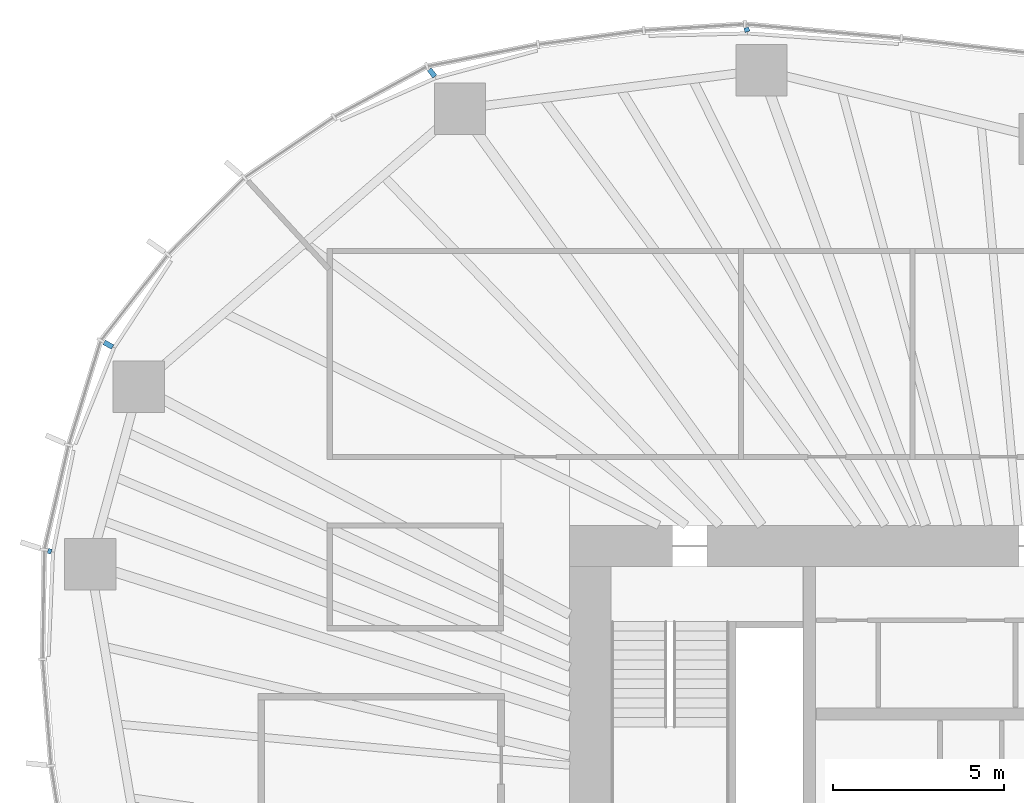
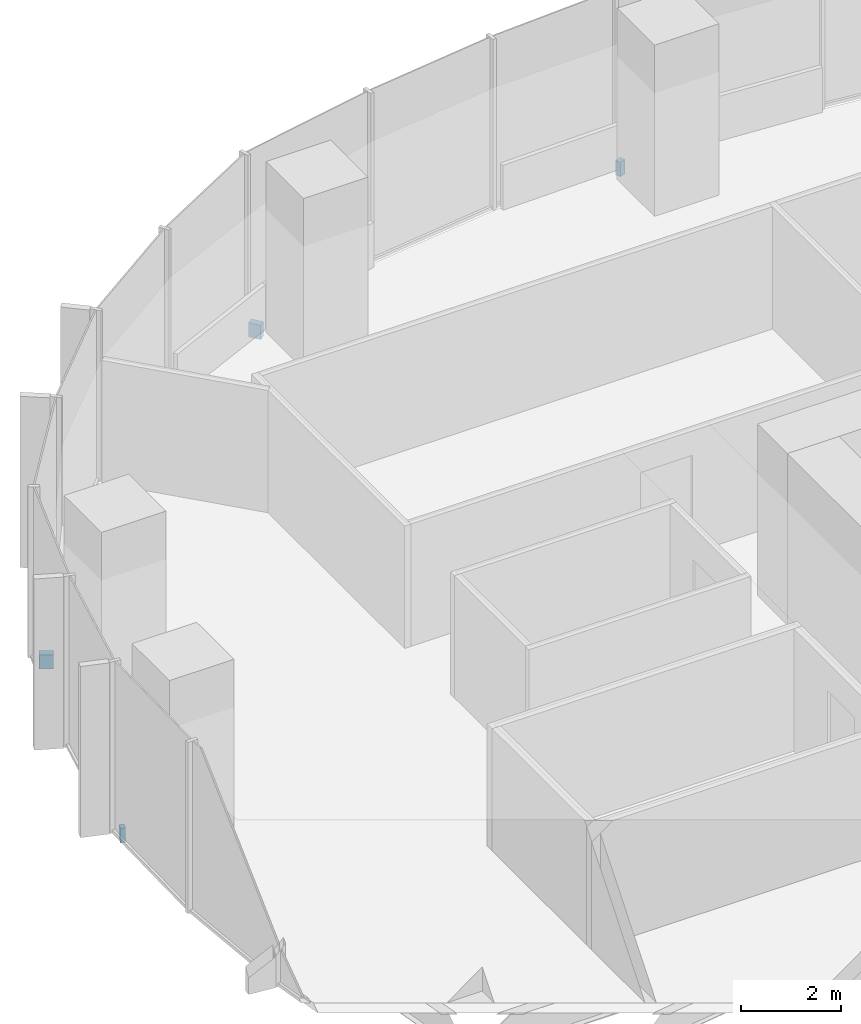
# One storey, part 15 of 18: 4 discrete accessories.
"""IFC4 building model written with IfcOpenShell, lengths in metres."""

from ifc_helpers import new_model, si_unit, direction, frame, origin, origin_2d, place, context, subcontext, project, spatial, rectangle, extrude, material, type_object, element, save


model = new_model("IFC4")

# Units and contexts
model_context = context("Model", 3, precision=1e-05, world=origin(), true_north=direction((0.0, 1.0)))
body_context = subcontext(model_context, "Body", "Model", "MODEL_VIEW")
ifc_project = project(units=[si_unit("LENGTHUNIT", "METRE"), si_unit("AREAUNIT", "SQUARE_METRE"), si_unit("VOLUMEUNIT", "CUBIC_METRE"), si_unit("PLANEANGLEUNIT", "RADIAN"), si_unit("MASSUNIT", "GRAM", prefix="KILO")], contexts=[model_context])

# Site, building, storey
site_placement = place(None, origin())
site = spatial("IfcSite", under=ifc_project, at=site_placement, CompositionType="ELEMENT")
building_placement = place(site_placement, origin())
building = spatial("IfcBuilding", under=site, at=building_placement, Name="Ghaith Harvest Tower", CompositionType="ELEMENT")
storey_placement = place(building_placement, frame((0.0, 0.0, 126.0)))
storey = spatial("IfcBuildingStorey", under=building, at=storey_placement, Name="L26", CompositionType="ELEMENT", Elevation=126.0)

# Discrete accessories
ifc_material_1 = material(Name="Stainless steel grade 1.4401", Category="steel")
discrete_accessory_type_1 = type_object("IfcDiscreteAccessoryType", Name="CURTAIN WALL BRACKET 105", PredefinedType="BRACKET", material=ifc_material_1)
discrete_accessory_1_placement = place(storey_placement, frame((-29.171875, 9.2451171875, -0.25), z_axis=(0.0, 0.0, 1.0), x_axis=(-0.953273219358, 0.302109531884, 0.0)))
element("IfcDiscreteAccessory", 1, at=discrete_accessory_1_placement, inside=storey, type_object=discrete_accessory_type_1, Name="CW-L bracket 1 bay 10 L26", PredefinedType="BRACKET", context=body_context, shape_type="SweptSolid", body=[
    extrude(rectangle(XDim=0.10498046875, YDim=0.14990234375, at=origin_2d()), origin(), (0.0, 0.0, 1.0), 0.35009765625),
])
ifc_material_2 = material(Name="Stainless steel grade 1.4401", Category="steel")
discrete_accessory_type_2 = type_object("IfcDiscreteAccessoryType", Name="CURTAIN WALL BRACKET 125", PredefinedType="BRACKET", material=ifc_material_2)
discrete_accessory_2_placement = place(storey_placement, frame((-8.833984375, 24.45849609375, -0.25), z_axis=(0.0, 0.0, 1.0), x_axis=(-0.339699453402, 0.94053404051, 0.0)))
element("IfcDiscreteAccessory", 2, at=discrete_accessory_2_placement, inside=storey, type_object=discrete_accessory_type_2, Name="CW-L bracket 1 bay 07 L26", PredefinedType="BRACKET", context=body_context, shape_type="SweptSolid", body=[
    extrude(rectangle(XDim=0.125, YDim=0.14990234375, at=origin_2d()), origin(), (0.0, 0.0, 1.0), 0.35009765625),
])
ifc_material_3 = material(Name="Stainless steel grade 1.4401", Category="steel")
discrete_accessory_type_3 = type_object("IfcDiscreteAccessoryType", Name="CURTAIN WALL BRACKET 265", PredefinedType="BRACKET", material=ifc_material_3)
discrete_accessory_3_placement = place(storey_placement, frame((-18.0166015625, 23.197998046875, -0.25), z_axis=(0.0, 0.0, 1.0), x_axis=(-0.613377714422, 0.78978970584, 0.0)))
element("IfcDiscreteAccessory", 3, at=discrete_accessory_3_placement, inside=storey, type_object=discrete_accessory_type_3, Name="CW-L bracket 1 bay 08 L26", PredefinedType="BRACKET", context=body_context, shape_type="SweptSolid", body=[
    extrude(rectangle(XDim=0.264892578125, YDim=0.14990234375, at=origin_2d()), origin(), (0.0, 0.0, 1.0), 0.35009765625),
])
ifc_material_4 = material(Name="Stainless steel grade 1.4401", Category="steel")
discrete_accessory_type_4 = type_object("IfcDiscreteAccessoryType", Name="CURTAIN WALL BRACKET 285", PredefinedType="BRACKET", material=ifc_material_4)
discrete_accessory_4_placement = place(storey_placement, frame((-27.45849609375, 15.271728515625, -0.25), z_axis=(0.0, 0.0, 1.0), x_axis=(-0.873926916005, 0.486057347935, 0.0)))
element("IfcDiscreteAccessory", 4, at=discrete_accessory_4_placement, inside=storey, type_object=discrete_accessory_type_4, Name="CW-L bracket 2 bay 09 L26", PredefinedType="BRACKET", context=body_context, shape_type="SweptSolid", body=[
    extrude(rectangle(XDim=0.284912109375, YDim=0.14990234375, at=origin_2d()), origin(), (0.0, 0.0, 1.0), 0.35009765625),
])

save(model, "model.ifc")
